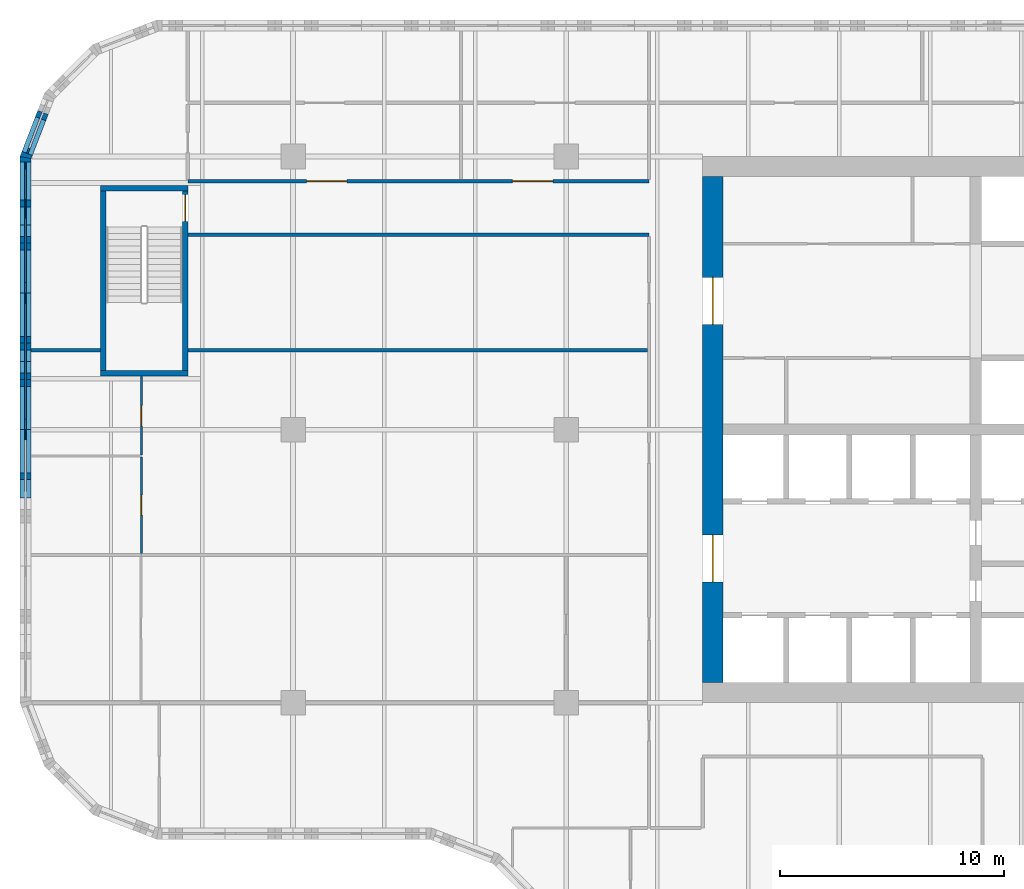
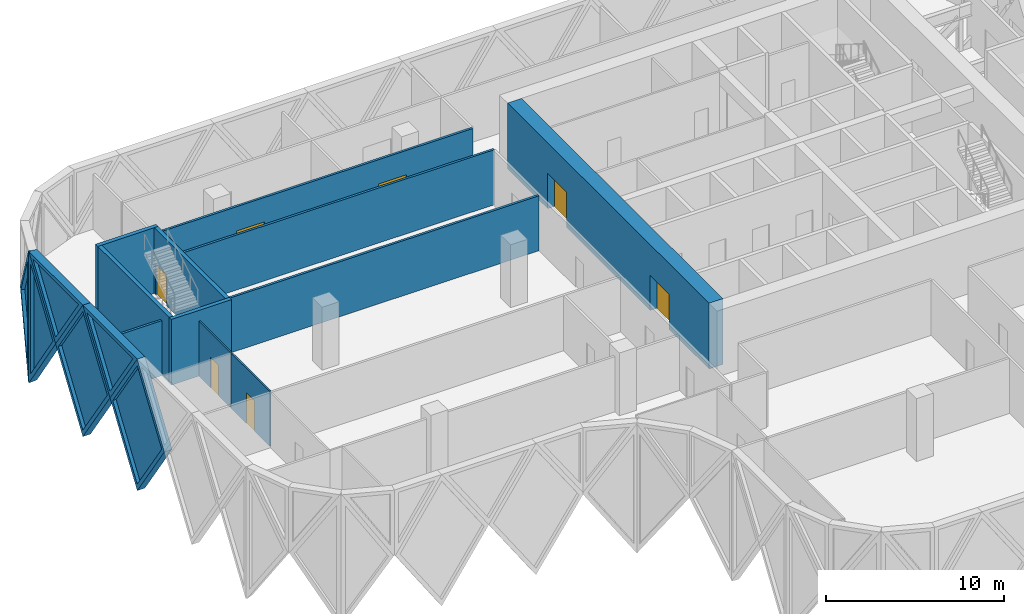
# One storey, part 15 of 30: 17 walls, 7 doors, 6 plates, 13 openings.
"""IFC4 building model written with IfcOpenShell, lengths in metres."""

from ifc_helpers import new_model, si_unit, direction, frame, frame_2d, origin, place, context, subcontext, project, spatial, polyline, rectangle, outline, extrude, faceted_brep, source, transform, mapped, material, layer, layer_set, type_object, element, fill, save


model = new_model("IFC4")

# Units and contexts
model_context = context("Model", 3, precision=1e-05, world=origin(), true_north=direction((0.0, 1.0)))
body_context = subcontext(model_context, "Body", "Model", "MODEL_VIEW")
ifc_project = project(units=[si_unit("LENGTHUNIT", "METRE"), si_unit("AREAUNIT", "SQUARE_METRE"), si_unit("VOLUMEUNIT", "CUBIC_METRE"), si_unit("PLANEANGLEUNIT", "RADIAN"), si_unit("MASSUNIT", "GRAM", prefix="KILO")], contexts=[model_context])

# Site, building, storey
site_placement = place(None, origin())
site = spatial("IfcSite", under=ifc_project, at=site_placement, CompositionType="ELEMENT")
building_placement = place(site_placement, origin())
building = spatial("IfcBuilding", under=site, at=building_placement, Name="Tessera Gate Towers", CompositionType="ELEMENT")
storey_placement = place(building_placement, frame((0.0, 0.0, 21.300048828125)))
storey = spatial("IfcBuildingStorey", under=building, at=storey_placement, Name="L04", CompositionType="ELEMENT", Elevation=21.300048828125)

# Walls
ifc_material_1 = material(Name="Concrete C40/50", Category="concrete")
ifc_layer_1 = layer(ifc_material_1, 0.25)
ifc_layer_set_1 = layer_set([ifc_layer_1], Name="CORE ENCLOSURE WALL 250")
wall_type_1 = type_object("IfcWallType", Name="CORE ENCLOSURE WALL 250", PredefinedType="SOLIDWALL", material=ifc_layer_set_1)
wall_1_placement = place(storey_placement, frame((7.5, 39.125, 0.0), z_axis=(0.0, 0.0, 1.0), x_axis=(-1.0, 0.0, 0.0)))
element("IfcWall", 1, at=wall_1_placement, inside=storey, type_object=wall_type_1, Name="L04 ST3 enclosure wall", PredefinedType="SOLIDWALL", context=body_context, shape_type="SweptSolid", body=[
    extrude(rectangle(XDim=3.89990234375, YDim=0.25, at=frame_2d((1.949951171875, 0.0))), origin(), (0.0, 0.0, 1.0), 4.5),
])
wall_2_placement = place(storey_placement, frame((3.72509765625, 39.25, 0.0), z_axis=(0.0, 0.0, 1.0), x_axis=(0.0, 1.0, 0.0)))
element("IfcWall", 2, at=wall_2_placement, inside=storey, type_object=wall_type_1, Name="L04 ST3 enclosure wall", PredefinedType="SOLIDWALL", context=body_context, shape_type="SweptSolid", body=[
    extrude(rectangle(XDim=8.0, YDim=0.25, at=frame_2d((4.0, 0.0))), origin(), (0.0, 0.0, 1.0), 4.5),
])
wall_3_placement = place(storey_placement, frame((3.60009765625, 47.375, 0.0), z_axis=(0.0, 0.0, 1.0), x_axis=(1.0, 0.0, 0.0)))
element("IfcWall", 3, at=wall_3_placement, inside=storey, type_object=wall_type_1, Name="L04 ST3 enclosure wall", PredefinedType="SOLIDWALL", context=body_context, shape_type="SweptSolid", body=[
    extrude(rectangle(XDim=3.89990234375, YDim=0.25, at=frame_2d((1.949951171875, 0.0))), origin(), (0.0, 0.0, 1.0), 4.5),
])

# Wall, opening, door
wall_4_placement = place(storey_placement, frame((7.375, 47.25, 0.0), z_axis=(0.0, 0.0, 1.0), x_axis=(0.0, -1.0, 0.0)))
wall_4 = element("IfcWall", 4, at=wall_4_placement, inside=storey, type_object=wall_type_1, Name="L04 ST3 enclosure wall", PredefinedType="SOLIDWALL", context=body_context, shape_type="SweptSolid", body=[
    extrude(rectangle(XDim=8.0, YDim=0.25, at=frame_2d((4.0, 0.0))), origin(), (0.0, 0.0, 1.0), 4.5),
])
shared_shape_1 = source(origin(), body_context, "Body", "SweptSolid", [
    extrude(rectangle(XDim=1.199951171875, YDim=2.10009765625, at=frame_2d((0.60009765625, 1.050048828125))), frame((0.0, 0.135009765625, 0.0), z_axis=(0.0, -1.0, 0.0), x_axis=(1.0, 0.0, 0.0)), (0.0, 0.0, 1.0), 0.27001953125),
])
opening_1_placement = place(wall_4_placement, frame((0.14990234375, 0.0, 0.0)))
opening_1 = element("IfcOpeningElement", 5, at=opening_1_placement, cuts=wall_4, Name="Opening SD-ST3-1", PredefinedType="OPENING", context=body_context, shape_type="MappedRepresentation", body=[
    mapped(shared_shape_1, transform((0.0, 0.0, 0.0), scale=1.0)),
])
ifc_material_2 = material(Name="Hollow steel fire door", Category="steel")
door_type_1 = type_object("IfcDoorType", Name="CORE DOOR SD 1200x2100", OperationType="NOTDEFINED", PredefinedType="DOOR", material=ifc_material_2)
shared_shape_2 = source(origin(), body_context, "Body", "SweptSolid", [
    extrude(rectangle(XDim=1.199951171875, YDim=2.10009765625, at=frame_2d((0.60009765625, 1.050048828125))), frame((0.0, 0.02490234375, 0.0), z_axis=(0.0, -1.0, 0.0), x_axis=(1.0, 0.0, 0.0)), (0.0, 0.0, 1.0), 0.050048828125),
])
door_1_placement = place(opening_1_placement, origin())
door_1 = element("IfcDoor", 6, at=door_1_placement, inside=storey, type_object=door_type_1, Name="Stair door", OperationType="SINGLE_SWING_LEFT", OverallHeight=2.10009765625, OverallWidth=1.199951171875, PredefinedType="DOOR", context=body_context, shape_type="MappedRepresentation", body=[
    mapped(shared_shape_2, transform((0.0, 0.0, 0.0), scale=1.0)),
])
fill(opening_1, door_1)

# Wall, openings, doors
ifc_material_3 = material(Name="Concrete C70/85", Category="concrete")
ifc_layer_2 = layer(ifc_material_3, 0.89990234375)
ifc_layer_set_2 = layer_set([ifc_layer_2], Name="CORE SHEAR WALL 900 C70/85")
wall_type_2 = type_object("IfcWallType", Name="CORE SHEAR WALL 900 C70/85", PredefinedType="SHEAR", material=ifc_layer_set_2)
wall_5_placement = place(storey_placement, frame((30.949951171875, 25.300048828125, 0.0), z_axis=(0.0, 0.0, 1.0), x_axis=(0.0, 1.0, 0.0)))
wall_5 = element("IfcWall", 7, at=wall_5_placement, inside=storey, type_object=wall_type_2, Name="Core wall W L04", PredefinedType="SHEAR", context=body_context, shape_type="SweptSolid", body=[
    extrude(rectangle(XDim=22.599853515625, YDim=0.89990234375, at=frame_2d((11.2998046875, 0.0))), origin(), (0.0, 0.0, 1.0), 4.5),
])
shared_shape_3 = source(origin(), body_context, "Body", "SweptSolid", [
    extrude(rectangle(XDim=2.10009765625, YDim=2.39990234375, at=frame_2d((1.050048828125, 1.199951171875))), frame((0.0, 0.4599609375, 0.0), z_axis=(0.0, -1.0, 0.0), x_axis=(1.0, 0.0, 0.0)), (0.0, 0.0, 1.0), 0.919921875),
])
opening_2_placement = place(wall_5_placement, frame((4.5, 0.0, 0.0)))
opening_2 = element("IfcOpeningElement", 8, at=opening_2_placement, cuts=wall_5, Name="Opening DD-T1-05-02", PredefinedType="OPENING", context=body_context, shape_type="MappedRepresentation", body=[
    mapped(shared_shape_3, transform((0.0, 0.0, 0.0), scale=1.0)),
])
opening_3_placement = place(wall_5_placement, frame((16.0, 0.0, 0.0)))
opening_3 = element("IfcOpeningElement", 9, at=opening_3_placement, cuts=wall_5, Name="Opening DD-T1-05-03", PredefinedType="OPENING", context=body_context, shape_type="MappedRepresentation", body=[
    mapped(shared_shape_3, transform((0.0, 0.0, 0.0), scale=1.0)),
])
ifc_material_4 = material(Name="Hollow steel fire door", Category="steel")
door_type_2 = type_object("IfcDoorType", Name="CORE DOOR DD 2100x2400", OperationType="NOTDEFINED", PredefinedType="DOOR", material=ifc_material_4)
shared_shape_4 = source(origin(), body_context, "Body", "SweptSolid", [
    extrude(rectangle(XDim=2.10009765625, YDim=2.39990234375, at=frame_2d((1.050048828125, 1.199951171875))), frame((0.0, 0.02490234375, 0.0), z_axis=(0.0, -1.0, 0.0), x_axis=(1.0, 0.0, 0.0)), (0.0, 0.0, 1.0), 0.050048828125),
])
door_2_placement = place(opening_2_placement, origin())
door_2 = element("IfcDoor", 10, at=door_2_placement, inside=storey, type_object=door_type_2, Name="Core entrance door", OperationType="DOUBLE_DOOR_SINGLE_SWING", OverallHeight=2.39990234375, OverallWidth=2.10009765625, PredefinedType="DOOR", context=body_context, shape_type="MappedRepresentation", body=[
    mapped(shared_shape_4, transform((0.0, 0.0, 0.0), scale=1.0)),
])
fill(opening_2, door_2)
door_3_placement = place(opening_3_placement, origin())
door_3 = element("IfcDoor", 11, at=door_3_placement, inside=storey, type_object=door_type_2, Name="Core entrance door", OperationType="DOUBLE_DOOR_SINGLE_SWING", OverallHeight=2.39990234375, OverallWidth=2.10009765625, PredefinedType="DOOR", context=body_context, shape_type="MappedRepresentation", body=[
    mapped(shared_shape_4, transform((0.0, 0.0, 0.0), scale=1.0)),
])
fill(opening_3, door_3)

# Wall
ifc_material_5 = material(Name="Gypsum board on steel studs, mineral wool", Category="steel")
ifc_layer_3 = layer(ifc_material_5, 0.14990234375)
ifc_layer_set_3 = layer_set([ifc_layer_3], Name="CORRIDOR WALL 150")
wall_type_3 = type_object("IfcWallType", Name="CORRIDOR WALL 150", PredefinedType="PARTITIONING", material=ifc_layer_set_3)
wall_6_placement = place(storey_placement, frame((7.5, 45.300048828125, 0.0), z_axis=(0.0, 0.0, 1.0), x_axis=(1.0, 0.0, 0.0)))
element("IfcWall", 12, at=wall_6_placement, inside=storey, type_object=wall_type_3, Name="T1-L04-PW-040", PredefinedType="PARTITIONING", context=body_context, shape_type="SweptSolid", body=[
    extrude(rectangle(XDim=20.60009765625, YDim=0.14990234375, at=frame_2d((10.300048828125, 0.0))), origin(), (0.0, 0.0, 1.0), 3.766845703125),
])

# Wall, openings, doors
wall_7_placement = place(storey_placement, frame((7.5, 47.699951171875, 0.0), z_axis=(0.0, 0.0, 1.0), x_axis=(1.0, 0.0, 0.0)))
wall_7 = element("IfcWall", 13, at=wall_7_placement, inside=storey, type_object=wall_type_3, Name="T1-L04-PW-041", PredefinedType="PARTITIONING", context=body_context, shape_type="SweptSolid", body=[
    extrude(rectangle(XDim=20.60009765625, YDim=0.14990234375, at=frame_2d((10.300048828125, 0.0))), origin(), (0.0, 0.0, 1.0), 3.766845703125),
])
shared_shape_5 = source(origin(), body_context, "Body", "SweptSolid", [
    extrude(rectangle(XDim=1.800048828125, YDim=2.10009765625, at=frame_2d((0.89990234375, 1.050048828125))), frame((0.0, 0.0849609375, 0.0), z_axis=(0.0, -1.0, 0.0), x_axis=(1.0, 0.0, 0.0)), (0.0, 0.0, 1.0), 0.169921875),
])
opening_4_placement = place(wall_7_placement, frame((14.5009765625, 0.0, 0.0)))
opening_4 = element("IfcOpeningElement", 14, at=opening_4_placement, cuts=wall_7, Name="Opening D2180FD60-A01-01", PredefinedType="OPENING", context=body_context, shape_type="MappedRepresentation", body=[
    mapped(shared_shape_5, transform((0.0, 0.0, 0.0), scale=1.0)),
])
opening_5_placement = place(wall_7_placement, frame((5.300048828125, 0.0, 0.0)))
opening_5 = element("IfcOpeningElement", 15, at=opening_5_placement, cuts=wall_7, Name="Opening D2180FD60-A01-02", PredefinedType="OPENING", context=body_context, shape_type="MappedRepresentation", body=[
    mapped(shared_shape_5, transform((0.0, 0.0, 0.0), scale=1.0)),
])
ifc_material_6 = material(Name="Timber door leaf in steel frame", Category="steel")
door_type_3 = type_object("IfcDoorType", Name="TENANCY ENTRANCE DOUBLE DOOR 1800 FD60", OperationType="NOTDEFINED", PredefinedType="DOOR", material=ifc_material_6)
shared_shape_6 = source(origin(), body_context, "Body", "SweptSolid", [
    extrude(rectangle(XDim=1.800048828125, YDim=2.10009765625, at=frame_2d((0.89990234375, 1.050048828125))), frame((0.0, 0.02490234375, 0.0), z_axis=(0.0, -1.0, 0.0), x_axis=(1.0, 0.0, 0.0)), (0.0, 0.0, 1.0), 0.050048828125),
])
door_4_placement = place(opening_4_placement, origin())
door_4 = element("IfcDoor", 16, at=door_4_placement, inside=storey, type_object=door_type_3, Name="T1-L04-PD-015", OperationType="DOUBLE_DOOR_SINGLE_SWING", OverallHeight=2.10009765625, OverallWidth=1.800048828125, PredefinedType="DOOR", context=body_context, shape_type="MappedRepresentation", body=[
    mapped(shared_shape_6, transform((0.0, 0.0, 0.0), scale=1.0)),
])
fill(opening_4, door_4)
door_5_placement = place(opening_5_placement, origin())
door_5 = element("IfcDoor", 17, at=door_5_placement, inside=storey, type_object=door_type_3, Name="T1-L04-PD-025", OperationType="DOUBLE_DOOR_SINGLE_SWING", OverallHeight=2.10009765625, OverallWidth=1.800048828125, PredefinedType="DOOR", context=body_context, shape_type="MappedRepresentation", body=[
    mapped(shared_shape_6, transform((0.0, 0.0, 0.0), scale=1.0)),
])
fill(opening_5, door_5)

# Wall, opening, door
ifc_material_7 = material(Name="Gypsum board on steel studs", Category="steel")
ifc_layer_4 = layer(ifc_material_7, 0.10009765625)
ifc_layer_set_4 = layer_set([ifc_layer_4], Name="PARTITION 100")
wall_type_4 = type_object("IfcWallType", Name="PARTITION 100", PredefinedType="PARTITIONING", material=ifc_layer_set_4)
wall_8_placement = place(storey_placement, frame((5.425048828125, 31.075927734375, 0.0), z_axis=(0.0, 0.0, 1.0), x_axis=(0.0, 1.0, 0.0)))
wall_8 = element("IfcWall", 18, at=wall_8_placement, inside=storey, type_object=wall_type_4, Name="T1-L04-PW-035", PredefinedType="PARTITIONING", context=body_context, shape_type="SweptSolid", body=[
    extrude(rectangle(XDim=4.29345703125, YDim=0.10009765625, at=frame_2d((2.146728515625, 0.0))), origin(), (0.0, 0.0, 1.0), 3.766845703125),
])
shared_shape_7 = source(origin(), body_context, "Body", "SweptSolid", [
    extrude(rectangle(XDim=0.89990234375, YDim=2.10009765625, at=frame_2d((0.449951171875, 1.050048828125))), frame((0.0, 0.06005859375, 0.0), z_axis=(0.0, -1.0, 0.0), x_axis=(1.0, 0.0, 0.0)), (0.0, 0.0, 1.0), 0.1201171875),
])
opening_6_placement = place(wall_8_placement, frame((1.699951171875, 0.0, 0.0)))
opening_6 = element("IfcOpeningElement", 19, at=opening_6_placement, cuts=wall_8, Name="Opening D190-A01-03", PredefinedType="OPENING", context=body_context, shape_type="MappedRepresentation", body=[
    mapped(shared_shape_7, transform((0.0, 0.0, 0.0), scale=1.0)),
])
ifc_material_8 = material(Name="Timber door leaf in steel frame", Category="steel")
door_type_4 = type_object("IfcDoorType", Name="INTERNAL DOOR 900 NOT RATED", OperationType="NOTDEFINED", PredefinedType="DOOR", material=ifc_material_8)
shared_shape_8 = source(origin(), body_context, "Body", "SweptSolid", [
    extrude(rectangle(XDim=0.89990234375, YDim=2.10009765625, at=frame_2d((0.449951171875, 1.050048828125))), frame((0.0, 0.02490234375, 0.0), z_axis=(0.0, -1.0, 0.0), x_axis=(1.0, 0.0, 0.0)), (0.0, 0.0, 1.0), 0.050048828125),
])
door_6_placement = place(opening_6_placement, origin())
door_6 = element("IfcDoor", 20, at=door_6_placement, inside=storey, type_object=door_type_4, Name="T1-L04-PD-004", OperationType="SINGLE_SWING_LEFT", OverallHeight=2.10009765625, OverallWidth=0.89990234375, PredefinedType="DOOR", context=body_context, shape_type="MappedRepresentation", body=[
    mapped(shared_shape_8, transform((0.0, 0.0, 0.0), scale=1.0)),
])
fill(opening_6, door_6)

wall_9_placement = place(storey_placement, frame((5.425048828125, 35.47119140625, 0.0), z_axis=(0.0, 0.0, 1.0), x_axis=(0.0, 1.0, 0.0)))
wall_9 = element("IfcWall", 21, at=wall_9_placement, inside=storey, type_object=wall_type_4, Name="T1-L04-PW-037", PredefinedType="PARTITIONING", context=body_context, shape_type="SweptSolid", body=[
    extrude(rectangle(XDim=3.52880859375, YDim=0.10009765625, at=frame_2d((1.764404296875, 0.0))), origin(), (0.0, 0.0, 1.0), 3.766845703125),
])
opening_7_placement = place(wall_9_placement, frame((1.300048828125, 0.0, 0.0)))
opening_7 = element("IfcOpeningElement", 22, at=opening_7_placement, cuts=wall_9, Name="Opening D190-A01-02", PredefinedType="OPENING", context=body_context, shape_type="MappedRepresentation", body=[
    mapped(shared_shape_7, transform((0.0, 0.0, 0.0), scale=1.0)),
])
door_7_placement = place(opening_7_placement, origin())
door_7 = element("IfcDoor", 23, at=door_7_placement, inside=storey, type_object=door_type_4, Name="T1-L04-PD-003", OperationType="SINGLE_SWING_LEFT", OverallHeight=2.10009765625, OverallWidth=0.89990234375, PredefinedType="DOOR", context=body_context, shape_type="MappedRepresentation", body=[
    mapped(shared_shape_8, transform((0.0, 0.0, 0.0), scale=1.0)),
])
fill(opening_7, door_7)

# Walls
ifc_material_9 = material(Name="Gypsum board on steel studs, mineral wool", Category="steel")
ifc_layer_5 = layer(ifc_material_9, 0.14990234375)
ifc_layer_set_5 = layer_set([ifc_layer_5], Name="TENANCY WALL 150")
wall_type_5 = type_object("IfcWallType", Name="TENANCY WALL 150", PredefinedType="PARTITIONING", material=ifc_layer_set_5)
wall_10_placement = place(storey_placement, frame((0.5, 40.14990234375, 0.0), z_axis=(0.0, 0.0, 1.0), x_axis=(1.0, 0.0, 0.0)))
element("IfcWall", 24, at=wall_10_placement, inside=storey, type_object=wall_type_5, Name="T1-L04-PW-038", PredefinedType="PARTITIONING", context=body_context, shape_type="SweptSolid", body=[
    extrude(rectangle(XDim=3.10009765625, YDim=0.14990234375, at=frame_2d((1.550048828125, 0.0))), origin(), (0.0, 0.0, 1.0), 3.766845703125),
])
wall_11_placement = place(storey_placement, frame((7.5, 40.14990234375, 0.0), z_axis=(0.0, 0.0, 1.0), x_axis=(1.0, 0.0, 0.0)))
element("IfcWall", 25, at=wall_11_placement, inside=storey, type_object=wall_type_5, Name="T1-L04-PW-039", PredefinedType="PARTITIONING", context=body_context, shape_type="SweptSolid", body=[
    extrude(rectangle(XDim=20.52392578125, YDim=0.14990234375, at=frame_2d((10.261962890625, 0.0))), origin(), (0.0, 0.0, 1.0), 3.766845703125),
])

# Wall, opening, plate
ifc_material_10 = material(Name="Precast concrete C60/75 white", Category="concrete")
ifc_layer_6 = layer(ifc_material_10, 0.5)
ifc_layer_set_6 = layer_set([ifc_layer_6], Name="TS1 tessera")
wall_type_6 = type_object("IfcWallType", Name="TS1 tessera", PredefinedType="SOLIDWALL", material=ifc_layer_set_6)
shared_shape_9 = source(origin(), body_context, "Body", "Brep", [
    faceted_brep([(3.050048828125, -0.25, 0.0), (6.099853515625, -0.25, 4.499755859375), (6.099853515625, -0.25, 4.500244140625), (3.050048828125, -0.25, 9.0), (0.0, -0.25, 4.5), (0.0, 0.25, 4.5), (3.050048828125, 0.25, 9.0), (6.099853515625, 0.25, 4.500244140625), (6.099853515625, 0.25, 4.499755859375), (3.050048828125, 0.25, 0.0)], [[[0, 1, 2, 3, 4]], [[5, 6, 7, 8, 9]], [[9, 8, 1, 0]], [[7, 6, 3, 2]], [[6, 5, 4, 3]], [[5, 9, 0, 4]], [[1, 8, 7, 2]]]),
])
wall_12_placement = place(storey_placement, frame((0.25, 39.64990234375, -4.5), z_axis=(0.0, 0.0, 1.0), x_axis=(0.0, -1.0, 0.0)))
wall_12 = element("IfcWall", 26, at=wall_12_placement, inside=storey, type_object=wall_type_6, Name="Precast tessera T1 TS1-0019", PredefinedType="SOLIDWALL", context=body_context, shape_type="MappedRepresentation", body=[
    mapped(shared_shape_9, transform((0.0, 0.0, 0.0), scale=1.0)),
])
shared_shape_10 = source(origin(), body_context, "Body", "SweptSolid", [
    extrude(outline(polyline([(3.050048828125, 0.445556640625), (5.798095703125, 4.5), (3.050048828125, 8.554443359375), (0.302001953125, 4.5), (3.050048828125, 0.445556640625)])), frame((0.0, 0.260009765625, 0.0), z_axis=(0.0, -1.0, 0.0), x_axis=(1.0, 0.0, 0.0)), (0.0, 0.0, 1.0), 0.52001953125),
])
opening_8_placement = place(wall_12_placement, origin())
opening_8 = element("IfcOpeningElement", 27, at=opening_8_placement, cuts=wall_12, Name="Opening T1-PL2-0031", PredefinedType="OPENING", context=body_context, shape_type="MappedRepresentation", body=[
    mapped(shared_shape_10, transform((0.0, 0.0, 0.0), scale=1.0)),
])
ifc_material_11 = material(Name="Low-e laminated glass", Category="glass")
ifc_layer_7 = layer(ifc_material_11, 0.06005859375)
ifc_layer_set_7 = layer_set([ifc_layer_7], Name="PL2 rhombic pane")
plate_type_1 = type_object("IfcPlateType", Name="PL2 rhombic pane", PredefinedType="SHEET", material=ifc_layer_set_7)
shared_shape_11 = source(origin(), body_context, "Body", "SweptSolid", [
    extrude(outline(polyline([(3.050048828125, 0.445556640625), (5.798095703125, 4.5), (3.050048828125, 8.554443359375), (0.302001953125, 4.5), (3.050048828125, 0.445556640625)])), frame((0.0, 0.030029296875, 0.0), z_axis=(0.0, -1.0, 0.0), x_axis=(1.0, 0.0, 0.0)), (0.0, 0.0, 1.0), 0.06005859375),
])
plate_1_placement = place(opening_8_placement, origin())
plate_1 = element("IfcPlate", 28, at=plate_1_placement, inside=storey, type_object=plate_type_1, Name="Glass pane T1 PL2-0031", PredefinedType="SHEET", context=body_context, shape_type="MappedRepresentation", body=[
    mapped(shared_shape_11, transform((0.0, 0.0, 0.0), scale=1.0)),
])
fill(opening_8, plate_1)

shared_shape_12 = source(origin(), body_context, "Body", "SweptSolid", [
    extrude(outline(polyline([(3.050048828125, 0.0), (6.10009765625, 4.5), (3.050048828125, 9.0), (0.0, 4.5), (3.050048828125, 0.0)])), frame((0.0, 0.25, 0.0), z_axis=(0.0, -1.0, 0.0), x_axis=(1.0, 0.0, 0.0)), (0.0, 0.0, 1.0), 0.5),
])
wall_13_placement = place(storey_placement, frame((0.25, 45.75, -4.5), z_axis=(0.0, 0.0, 1.0), x_axis=(0.0, -1.0, 0.0)))
wall_13 = element("IfcWall", 29, at=wall_13_placement, inside=storey, type_object=wall_type_6, Name="Precast tessera T1 TS1-0018", PredefinedType="SOLIDWALL", context=body_context, shape_type="MappedRepresentation", body=[
    mapped(shared_shape_12, transform((0.0, 0.0, 0.0), scale=1.0)),
])
opening_9_placement = place(wall_13_placement, origin())
opening_9 = element("IfcOpeningElement", 30, at=opening_9_placement, cuts=wall_13, Name="Opening T1-PL2-0030", PredefinedType="OPENING", context=body_context, shape_type="MappedRepresentation", body=[
    mapped(shared_shape_10, transform((0.0, 0.0, 0.0), scale=1.0)),
])
plate_2_placement = place(opening_9_placement, origin())
plate_2 = element("IfcPlate", 31, at=plate_2_placement, inside=storey, type_object=plate_type_1, Name="Glass pane T1 PL2-0030", PredefinedType="SHEET", context=body_context, shape_type="MappedRepresentation", body=[
    mapped(shared_shape_11, transform((0.0, 0.0, 0.0), scale=1.0)),
])
fill(opening_9, plate_2)

ifc_material_12 = material(Name="Precast concrete C60/75 white", Category="concrete")
ifc_layer_8 = layer(ifc_material_12, 0.5)
ifc_layer_set_8 = layer_set([ifc_layer_8], Name="TS3 corner tessera")
wall_type_7 = type_object("IfcWallType", Name="TS3 corner tessera", PredefinedType="SOLIDWALL", material=ifc_layer_set_8)
shared_shape_13 = source(origin(), body_context, "Body", "Brep", [
    faceted_brep([(0.046630859375, -0.25, 0.0), (3.050048828125, -0.25, 4.5), (0.046630859375, -0.25, 9.0), (0.0, -0.25, 8.928955078125), (0.0, -0.25, 0.071044921875), (0.09326171875, 0.25, 8.93017578125), (3.050048828125, 0.25, 4.5), (0.09326171875, 0.25, 0.06982421875), (0.046630859375, 0.0, 0.0), (0.046630859375, 0.0, 9.0)], [[[0, 1, 2, 3, 4]], [[5, 6, 7]], [[7, 6, 1, 0, 8]], [[6, 5, 9, 2, 1]], [[3, 2, 9]], [[8, 0, 4]], [[7, 8, 4, 3, 9, 5]]]),
])
wall_14_placement = place(storey_placement, frame((0.25, 48.800048828125, -4.5), z_axis=(0.0, 0.0, 1.0), x_axis=(0.0, -1.0, 0.0)))
wall_14 = element("IfcWall", 32, at=wall_14_placement, inside=storey, type_object=wall_type_7, Name="Precast corner tessera T1 TS3-0036", PredefinedType="SOLIDWALL", context=body_context, shape_type="MappedRepresentation", body=[
    mapped(shared_shape_13, transform((0.0, 0.0, 0.0), scale=1.0)),
])
shared_shape_14 = source(origin(), body_context, "Body", "SweptSolid", [
    extrude(outline(polyline([(0.24658203125, 0.75), (2.74951171875, 4.5), (0.24658203125, 8.25), (0.24658203125, 0.75)])), frame((0.0, 0.260009765625, 0.0), z_axis=(0.0, -1.0, 0.0), x_axis=(1.0, 0.0, 0.0)), (0.0, 0.0, 1.0), 0.52001953125),
])
opening_10_placement = place(wall_14_placement, origin())
opening_10 = element("IfcOpeningElement", 33, at=opening_10_placement, cuts=wall_14, Name="Opening T1-PL2-0029", PredefinedType="OPENING", context=body_context, shape_type="MappedRepresentation", body=[
    mapped(shared_shape_14, transform((0.0, 0.0, 0.0), scale=1.0)),
])
shared_shape_15 = source(origin(), body_context, "Body", "SweptSolid", [
    extrude(outline(polyline([(0.24658203125, 0.75), (2.74951171875, 4.5), (0.24658203125, 8.25), (0.24658203125, 0.75)])), frame((0.0, 0.030029296875, 0.0), z_axis=(0.0, -1.0, 0.0), x_axis=(1.0, 0.0, 0.0)), (0.0, 0.0, 1.0), 0.06005859375),
])
plate_3_placement = place(opening_10_placement, origin())
plate_3 = element("IfcPlate", 34, at=plate_3_placement, inside=storey, type_object=plate_type_1, Name="Glass pane T1 PL2-0029", PredefinedType="SHEET", context=body_context, shape_type="MappedRepresentation", body=[
    mapped(shared_shape_15, transform((0.0, 0.0, 0.0), scale=1.0)),
])
fill(opening_10, plate_3)

shared_shape_16 = source(origin(), body_context, "Body", "Brep", [
    faceted_brep([(2.950439453125, -0.25, 0.0), (2.9970703125, -0.25, 0.06982421875), (2.9970703125, -0.25, 8.93017578125), (2.950439453125, -0.25, 9.0), (0.0, -0.25, 4.5), (0.052978515625, 0.25, 4.580810546875), (2.904052734375, 0.25, 8.92919921875), (2.904052734375, 0.25, 0.07080078125), (0.052978515625, 0.25, 4.419189453125), (2.950439453125, 0.00048828125, 0.0), (2.950439453125, 0.00048828125, 9.0), (0.0, 0.0, 4.5)], [[[0, 1, 2, 3, 4]], [[5, 6, 7, 8]], [[1, 0, 9]], [[10, 3, 2]], [[6, 5, 11, 4, 3, 10]], [[8, 7, 9, 0, 4, 11]], [[8, 11, 5]], [[1, 9, 7, 6, 10, 2]]]),
])
wall_15_placement = place(storey_placement, frame((1.31201171875, 51.50634765625, -4.5), z_axis=(0.0, 0.0, 1.0), x_axis=(-0.359944998003, -0.932973525033, 0.0)))
wall_15 = element("IfcWall", 35, at=wall_15_placement, inside=storey, type_object=wall_type_7, Name="Precast corner tessera T1 TS3-0035", PredefinedType="SOLIDWALL", context=body_context, shape_type="MappedRepresentation", body=[
    mapped(shared_shape_16, transform((0.0, 0.0, 0.0), scale=1.0)),
])
shared_shape_17 = source(origin(), body_context, "Body", "SweptSolid", [
    extrude(outline(polyline([(2.75048828125, 8.239013671875), (0.298828125, 4.5), (2.75048828125, 0.760986328125), (2.75048828125, 8.239013671875)])), frame((0.0, 0.260009765625, 0.0), z_axis=(0.0, -1.0, 0.0), x_axis=(1.0, 0.0, 0.0)), (0.0, 0.0, 1.0), 0.52001953125),
])
opening_11_placement = place(wall_15_placement, origin())
opening_11 = element("IfcOpeningElement", 36, at=opening_11_placement, cuts=wall_15, Name="Opening T1-PL2-0028", PredefinedType="OPENING", context=body_context, shape_type="MappedRepresentation", body=[
    mapped(shared_shape_17, transform((0.0, 0.0, 0.0), scale=1.0)),
])
shared_shape_18 = source(origin(), body_context, "Body", "SweptSolid", [
    extrude(outline(polyline([(2.75048828125, 8.239013671875), (0.298828125, 4.5), (2.75048828125, 0.760986328125), (2.75048828125, 8.239013671875)])), frame((0.0, 0.030029296875, 0.0), z_axis=(0.0, -1.0, 0.0), x_axis=(1.0, 0.0, 0.0)), (0.0, 0.0, 1.0), 0.06005859375),
])
plate_4_placement = place(opening_11_placement, origin())
plate_4 = element("IfcPlate", 37, at=plate_4_placement, inside=storey, type_object=plate_type_1, Name="Glass pane T1 PL2-0028", PredefinedType="SHEET", context=body_context, shape_type="MappedRepresentation", body=[
    mapped(shared_shape_18, transform((0.0, 0.0, 0.0), scale=1.0)),
])
fill(opening_11, plate_4)

ifc_material_13 = material(Name="Precast concrete C60/75 white", Category="concrete")
ifc_layer_9 = layer(ifc_material_13, 0.5)
ifc_layer_set_9 = layer_set([ifc_layer_9], Name="TS2 half tessera")
wall_type_8 = type_object("IfcWallType", Name="TS2 half tessera", PredefinedType="SOLIDWALL", material=ifc_layer_set_9)
shared_shape_19 = source(origin(), body_context, "Body", "Brep", [
    faceted_brep([(3.050048828125, -0.25, 0.0), (6.099853515625, -0.25, 4.499755859375), (6.099853515625, -0.25, 4.5), (0.0, -0.25, 4.5), (0.0, 0.25, 4.5), (6.099853515625, 0.25, 4.5), (6.099853515625, 0.25, 4.499755859375), (3.050048828125, 0.25, 0.0)], [[[0, 1, 2, 3]], [[4, 5, 6, 7]], [[7, 6, 1, 0]], [[5, 4, 3, 2]], [[4, 7, 0, 3]], [[1, 6, 5, 2]]]),
])
wall_16_placement = place(storey_placement, frame((0.25, 42.699951171875, 0.0), z_axis=(0.0, 0.0, 1.0), x_axis=(0.0, -1.0, 0.0)))
wall_16 = element("IfcWall", 38, at=wall_16_placement, inside=storey, type_object=wall_type_8, Name="Precast half tessera T1 TS2-0041", PredefinedType="SOLIDWALL", context=body_context, shape_type="MappedRepresentation", body=[
    mapped(shared_shape_19, transform((0.0, 0.0, 0.0), scale=1.0)),
])
shared_shape_20 = source(origin(), body_context, "Body", "SweptSolid", [
    extrude(outline(polyline([(3.050048828125, 0.445556640625), (5.628662109375, 4.25), (0.471435546875, 4.25), (3.050048828125, 0.445556640625)])), frame((0.0, 0.260009765625, 0.0), z_axis=(0.0, -1.0, 0.0), x_axis=(1.0, 0.0, 0.0)), (0.0, 0.0, 1.0), 0.52001953125),
])
opening_12_placement = place(wall_16_placement, origin())
opening_12 = element("IfcOpeningElement", 39, at=opening_12_placement, cuts=wall_16, Name="Opening T1-PL1-0079", PredefinedType="OPENING", context=body_context, shape_type="MappedRepresentation", body=[
    mapped(shared_shape_20, transform((0.0, 0.0, 0.0), scale=1.0)),
])
ifc_material_14 = material(Name="Low-e laminated glass", Category="glass")
ifc_layer_10 = layer(ifc_material_14, 0.06005859375)
ifc_layer_set_10 = layer_set([ifc_layer_10], Name="PL1 triangular pane")
plate_type_2 = type_object("IfcPlateType", Name="PL1 triangular pane", PredefinedType="SHEET", material=ifc_layer_set_10)
shared_shape_21 = source(origin(), body_context, "Body", "SweptSolid", [
    extrude(outline(polyline([(3.050048828125, 0.445556640625), (5.628662109375, 4.25), (0.471435546875, 4.25), (3.050048828125, 0.445556640625)])), frame((0.0, 0.030029296875, 0.0), z_axis=(0.0, -1.0, 0.0), x_axis=(1.0, 0.0, 0.0)), (0.0, 0.0, 1.0), 0.06005859375),
])
plate_5_placement = place(opening_12_placement, origin())
plate_5 = element("IfcPlate", 40, at=plate_5_placement, inside=storey, type_object=plate_type_2, Name="Glass pane T1 PL1-0079", PredefinedType="SHEET", context=body_context, shape_type="MappedRepresentation", body=[
    mapped(shared_shape_21, transform((0.0, 0.0, 0.0), scale=1.0)),
])
fill(opening_12, plate_5)

shared_shape_22 = source(origin(), body_context, "Body", "Brep", [
    faceted_brep([(3.00341796875, -0.25, 0.0), (6.053466796875, -0.25, 4.5), (0.0, -0.25, 4.5), (0.046630859375, 0.25, 4.5), (6.053466796875, 0.25, 4.5), (3.00341796875, 0.25, 0.0), (0.046630859375, 0.25, 4.43017578125), (0.0, 0.0, 4.5)], [[[0, 1, 2]], [[3, 4, 5, 6]], [[5, 4, 1, 0]], [[4, 3, 7, 2, 1]], [[6, 5, 0, 2, 7]], [[6, 7, 3]]]),
])
wall_17_placement = place(storey_placement, frame((0.25, 48.75341796875, 0.0), z_axis=(0.0, 0.0, 1.0), x_axis=(0.0, -1.0, 0.0)))
wall_17 = element("IfcWall", 41, at=wall_17_placement, inside=storey, type_object=wall_type_8, Name="Precast half tessera T1 TS2-0040", PredefinedType="SOLIDWALL", context=body_context, shape_type="MappedRepresentation", body=[
    mapped(shared_shape_22, transform((0.0, 0.0, 0.0), scale=1.0)),
])
shared_shape_23 = source(origin(), body_context, "Body", "SweptSolid", [
    extrude(outline(polyline([(3.005126953125, 0.447998046875), (5.58203125, 4.25), (0.467529296875, 4.25), (3.005126953125, 0.447998046875)])), frame((0.0, 0.260009765625, 0.0), z_axis=(0.0, -1.0, 0.0), x_axis=(1.0, 0.0, 0.0)), (0.0, 0.0, 1.0), 0.52001953125),
])
opening_13_placement = place(wall_17_placement, origin())
opening_13 = element("IfcOpeningElement", 42, at=opening_13_placement, cuts=wall_17, Name="Opening T1-PL1-0078", PredefinedType="OPENING", context=body_context, shape_type="MappedRepresentation", body=[
    mapped(shared_shape_23, transform((0.0, 0.0, 0.0), scale=1.0)),
])
shared_shape_24 = source(origin(), body_context, "Body", "SweptSolid", [
    extrude(outline(polyline([(3.005126953125, 0.447998046875), (5.58203125, 4.25), (0.467529296875, 4.25), (3.005126953125, 0.447998046875)])), frame((0.0, 0.030029296875, 0.0), z_axis=(0.0, -1.0, 0.0), x_axis=(1.0, 0.0, 0.0)), (0.0, 0.0, 1.0), 0.06005859375),
])
plate_6_placement = place(opening_13_placement, origin())
plate_6 = element("IfcPlate", 43, at=plate_6_placement, inside=storey, type_object=plate_type_2, Name="Glass pane T1 PL1-0078", PredefinedType="SHEET", context=body_context, shape_type="MappedRepresentation", body=[
    mapped(shared_shape_24, transform((0.0, 0.0, 0.0), scale=1.0)),
])
fill(opening_13, plate_6)

save(model, "model.ifc")
